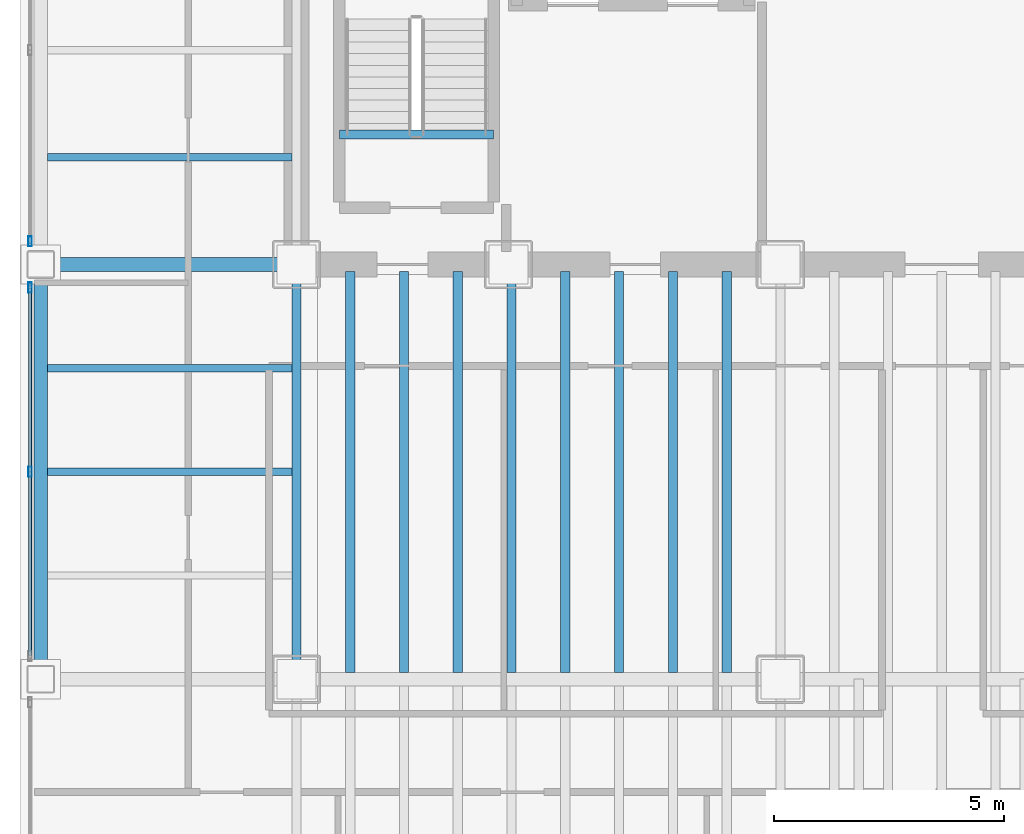
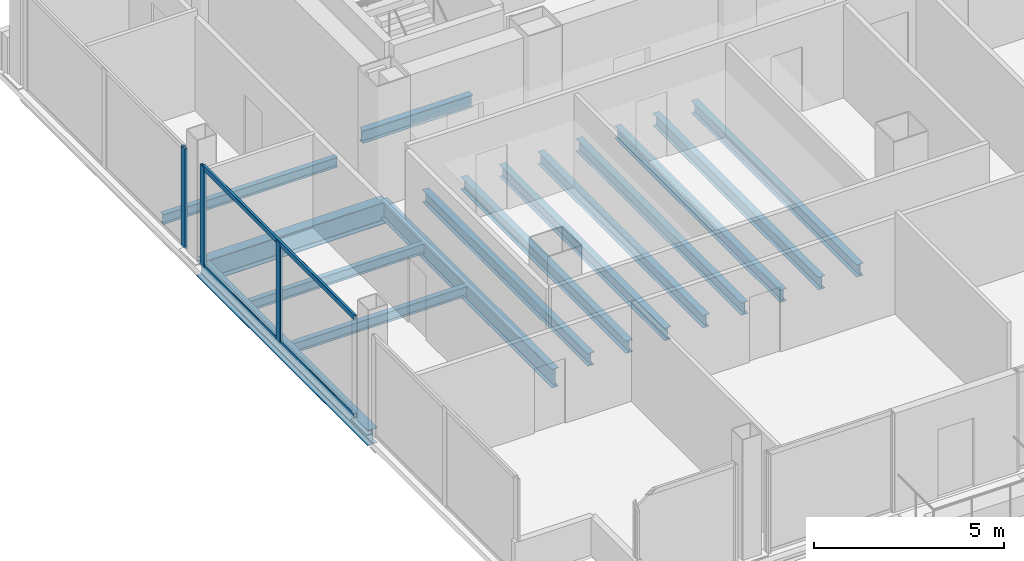
# One storey, part 6 of 21: 15 beams, 5 members, 2 elements without a shape of their own.
"""IFC4 building model written with IfcOpenShell, lengths in metres."""

from ifc_helpers import new_model, si_unit, direction, frame, origin, origin_2d, place, context, subcontext, project, spatial, hollow_rectangle, i_section, extrude, material, material_profile, profile_set, type_object, element, aggregate, save


model = new_model("IFC4")

# Units and contexts
model_context = context("Model", 3, precision=1e-05, world=origin(), true_north=direction((0.0, 1.0)))
body_context = subcontext(model_context, "Body", "Model", "MODEL_VIEW")
ifc_project = project(units=[si_unit("LENGTHUNIT", "METRE"), si_unit("AREAUNIT", "SQUARE_METRE"), si_unit("VOLUMEUNIT", "CUBIC_METRE"), si_unit("PLANEANGLEUNIT", "RADIAN"), si_unit("MASSUNIT", "GRAM", prefix="KILO")], contexts=[model_context])

# Site, building, storey
site_placement = place(None, origin())
site = spatial("IfcSite", under=ifc_project, at=site_placement, CompositionType="ELEMENT")
building_placement = place(site_placement, origin())
building = spatial("IfcBuilding", under=site, at=building_placement, Name="Noeulbin Bourse Tower", CompositionType="ELEMENT")
storey_placement = place(building_placement, frame((0.0, 0.0, 92.800048828125)))
storey = spatial("IfcBuildingStorey", under=building, at=storey_placement, Name="L23", CompositionType="ELEMENT", Elevation=92.800048828125)

# Beams
ifc_material_1 = material(Name="Steel S355", Category="steel")
ifc_material_profile_1 = material_profile(ifc_material_1, i_section(OverallWidth=0.199951171875, OverallDepth=0.60009765625, WebThickness=0.010986328125, FlangeThickness=0.01708984375, FilletRadius=0.02197265625, at=origin_2d()), Name="H-600x200x11x17", Category="LoadBearing")
ifc_profile_set_1 = profile_set([ifc_material_profile_1], Name="Steel S355")
beam_type_1 = type_object("IfcBeamType", Name="BM-GRD-600", PredefinedType="USERDEFINED", material=ifc_profile_set_1)
beam_1_placement = place(storey_placement, frame((13.5, 20.0, -0.47998046875), z_axis=(0.0, 1.0, 0.0), x_axis=(-1.0, 0.0, 0.0)))
element("IfcBeam", 1, at=beam_1_placement, inside=storey, type_object=beam_type_1, Name="Tower Primary Girder NS L23-1.2", ObjectType="GIRDER", PredefinedType="USERDEFINED", context=body_context, shape_type="SweptSolid", body=[
    extrude(i_section(OverallWidth=0.199951171875, OverallDepth=0.60009765625, WebThickness=0.010986328125, FlangeThickness=0.01708984375, FilletRadius=0.02197265625, at=origin_2d()), origin(), (0.0, 0.0, 1.0), 9.0),
])
ifc_material_profile_2 = material_profile(ifc_material_1, i_section(OverallWidth=0.300048828125, OverallDepth=0.699951171875, WebThickness=0.012939453125, FlangeThickness=0.02392578125, FilletRadius=0.02392578125, at=origin_2d()), Name="H-700x300x13x24", Category="LoadBearing")
ifc_profile_set_2 = profile_set([ifc_material_profile_2], Name="Steel S355")
beam_type_2 = type_object("IfcBeamType", Name="BM-GRD-700", PredefinedType="USERDEFINED", material=ifc_profile_set_2)
beam_2_placement = place(storey_placement, frame((7.949951171875, 29.0, -0.530029296875), z_axis=(1.0, 0.0, 0.0), x_axis=(0.0, 1.0, 0.0)))
element("IfcBeam", 2, at=beam_2_placement, inside=storey, type_object=beam_type_2, Name="Tower Primary Girder EW L23-2.1", ObjectType="GIRDER", PredefinedType="USERDEFINED", context=body_context, shape_type="SweptSolid", body=[
    extrude(i_section(OverallWidth=0.300048828125, OverallDepth=0.699951171875, WebThickness=0.012939453125, FlangeThickness=0.02392578125, FilletRadius=0.02392578125, at=origin_2d()), origin(), (0.0, 0.0, 1.0), 5.550048828125),
])
ifc_material_profile_3 = material_profile(ifc_material_1, i_section(OverallWidth=0.159912109375, OverallDepth=0.320068359375, WebThickness=0.006591796875, FlangeThickness=0.010009765625, FilletRadius=0.012939453125, at=origin_2d()), Name="H-320x160x6.5x10", Category="LoadBearing")
ifc_profile_set_3 = profile_set([ifc_material_profile_3], Name="Steel S355")
beam_type_3 = type_object("IfcBeamType", Name="BM-JST-320", PredefinedType="JOIST", material=ifc_profile_set_3)
for number, where, z_axis, x_axis, name in (
    (3, (8.10009765625, 24.5, -0.340087890625), (1.0, 0.0, 0.0), (0.0, 1.0, 0.0), "Wing Composite Joist L23-W71"),
    (4, (8.10009765625, 26.75, -0.340087890625), (1.0, 0.0, 0.0), (0.0, 1.0, 0.0), "Wing Composite Joist L23-W72"),
    (5, (8.10009765625, 31.324951171875, -0.340087890625), (1.0, 0.0, 0.0), (0.0, 1.0, 0.0), "Wing Composite Joist L23-W73"),
):
    element("IfcBeam", number, at=place(storey_placement, frame(where, z_axis=z_axis, x_axis=x_axis)), inside=storey, type_object=beam_type_3, Name=name, PredefinedType="JOIST", context=body_context, shape_type="SweptSolid", body=[
        extrude(i_section(OverallWidth=0.159912109375, OverallDepth=0.320068359375, WebThickness=0.006591796875, FlangeThickness=0.010009765625, FilletRadius=0.012939453125, at=origin_2d()), origin(), (0.0, 0.0, 1.0), 5.2998046875),
    ])
ifc_material_profile_4 = material_profile(ifc_material_1, i_section(OverallWidth=0.199951171875, OverallDepth=0.39990234375, WebThickness=0.008056640625, FlangeThickness=0.012939453125, FilletRadius=0.01611328125, at=origin_2d()), Name="H-400x200x8x13", Category="LoadBearing")
ifc_profile_set_4 = profile_set([ifc_material_profile_4], Name="Steel S355")
beam_type_4 = type_object("IfcBeamType", Name="BM-SEC-400", PredefinedType="BEAM", material=ifc_profile_set_4)
for number, where, z_axis, x_axis, name in (
    (6, (14.666748046875, 20.14990234375, -0.380126953125), (0.0, 1.0, 0.0), (-1.0, 0.0, 0.0), "Tower Composite Joist L23-02"),
    (7, (15.833251953125, 20.14990234375, -0.380126953125), (0.0, 1.0, 0.0), (-1.0, 0.0, 0.0), "Tower Composite Joist L23-05"),
    (8, (17.0, 20.14990234375, -0.380126953125), (0.0, 1.0, 0.0), (-1.0, 0.0, 0.0), "Tower Composite Joist L23-08"),
    (9, (18.166748046875, 20.14990234375, -0.380126953125), (0.0, 1.0, 0.0), (-1.0, 0.0, 0.0), "Tower Composite Joist L23-11"),
    (10, (19.333251953125, 20.14990234375, -0.380126953125), (0.0, 1.0, 0.0), (-1.0, 0.0, 0.0), "Tower Composite Joist L23-14"),
    (11, (20.5, 20.14990234375, -0.380126953125), (0.0, 1.0, 0.0), (-1.0, 0.0, 0.0), "Tower Composite Joist L23-17"),
    (12, (21.666748046875, 20.14990234375, -0.380126953125), (0.0, 1.0, 0.0), (-1.0, 0.0, 0.0), "Tower Composite Joist L23-20"),
    (13, (22.833251953125, 20.14990234375, -0.380126953125), (0.0, 1.0, 0.0), (-1.0, 0.0, 0.0), "Tower Composite Joist L23-23"),
):
    element("IfcBeam", number, at=place(storey_placement, frame(where, z_axis=z_axis, x_axis=x_axis)), inside=storey, type_object=beam_type_4, Name=name, PredefinedType="BEAM", context=body_context, shape_type="SweptSolid", body=[
        extrude(i_section(OverallWidth=0.199951171875, OverallDepth=0.39990234375, WebThickness=0.008056640625, FlangeThickness=0.012939453125, FilletRadius=0.01611328125, at=origin_2d()), origin(), (0.0, 0.0, 1.0), 8.7001953125),
    ])
beam_3_placement = place(storey_placement, frame((14.429931640625, 31.820068359375, -0.199951171875), z_axis=(1.0, 0.0, 0.0), x_axis=(0.0, 1.0, 0.0)))
element("IfcBeam", 14, at=beam_3_placement, inside=storey, type_object=beam_type_4, Name="Stair Threshold Trimmer Beam ST1-L23", PredefinedType="BEAM", context=body_context, shape_type="SweptSolid", body=[
    extrude(i_section(OverallWidth=0.199951171875, OverallDepth=0.39990234375, WebThickness=0.008056640625, FlangeThickness=0.012939453125, FilletRadius=0.01611328125, at=origin_2d()), origin(), (0.0, 0.0, 1.0), 3.340087890625),
])
ifc_material_profile_5 = material_profile(ifc_material_1, i_section(OverallWidth=0.300048828125, OverallDepth=0.488037109375, WebThickness=0.010986328125, FlangeThickness=0.01806640625, FilletRadius=0.02197265625, at=origin_2d()), Name="H-488x300x11x18", Category="LoadBearing")
ifc_profile_set_5 = profile_set([ifc_material_profile_5], Name="Steel S355")
beam_type_5 = type_object("IfcBeamType", Name="BM-SPN-488", PredefinedType="SPANDREL", material=ifc_profile_set_5)
beam_4_placement = place(storey_placement, frame((7.949951171875, 20.0, -0.424072265625), z_axis=(0.0, 1.0, 0.0), x_axis=(-1.0, 0.0, 0.0)))
element("IfcBeam", 15, at=beam_4_placement, inside=storey, type_object=beam_type_5, Name="West Spandrel L23-1", PredefinedType="SPANDREL", context=body_context, shape_type="SweptSolid", body=[
    extrude(i_section(OverallWidth=0.300048828125, OverallDepth=0.488037109375, WebThickness=0.010986328125, FlangeThickness=0.01806640625, FilletRadius=0.02197265625, at=origin_2d()), origin(), (0.0, 0.0, 1.0), 9.0),
])

# Curtain wall, members
ifc_material_2 = material(Name="Dark Solar-Control Double Glazing", Category="glass")
curtain_wall_type = type_object("IfcCurtainWallType", Name="CW-SYS-2", PredefinedType="NOTDEFINED", material=ifc_material_2)
curtain_wall_1_placement = place(storey_placement, origin())
curtain_wall_1 = element("IfcCurtainWall", 16, at=curtain_wall_1_placement, inside=storey, type_object=curtain_wall_type, Name="Unitised Curtain Wall CW-L23-W-S2", PredefinedType="NOTDEFINED")
ifc_material_3 = material(Name="Anodised Aluminium 6063-T6", Category="aluminium")
ifc_material_profile_6 = material_profile(ifc_material_3, hollow_rectangle(XDim=0.074951171875, YDim=0.219970703125, WallThickness=0.0048828125, InnerFilletRadius=0.00244140625, OuterFilletRadius=0.0048828125, at=origin_2d()), Name="ALU-MULL-75x220x5", Category="LoadBearing")
ifc_profile_set_6 = profile_set([ifc_material_profile_6], Name="Anodised Aluminium 6063-T6")
member_type_1 = type_object("IfcMemberType", Name="CW-SYS-2-MUL", PredefinedType="MULLION", material=ifc_profile_set_6)
member_1_placement = place(storey_placement, frame((7.719970703125, 24.5, -0.02001953125), z_axis=(0.0, 0.0, 1.0), x_axis=(1.0, 0.0, 0.0)))
member_1 = element("IfcMember", 17, at=member_1_placement, type_object=member_type_1, Name="Curtain Wall Mullion CW-L23-W-S2-M01", PredefinedType="MULLION", context=body_context, shape_type="SweptSolid", body=[
    extrude(hollow_rectangle(XDim=0.074951171875, YDim=0.219970703125, WallThickness=0.0048828125, InnerFilletRadius=0.00244140625, OuterFilletRadius=0.0048828125, at=origin_2d()), origin(), (0.0, 0.0, 1.0), 3.219970703125),
])
member_2_placement = place(storey_placement, frame((7.719970703125, 28.5, -0.02001953125), z_axis=(0.0, 0.0, 1.0), x_axis=(1.0, 0.0, 0.0)))
member_2 = element("IfcMember", 18, at=member_2_placement, type_object=member_type_1, Name="Curtain Wall Mullion CW-L23-W-S2-M02", PredefinedType="MULLION", context=body_context, shape_type="SweptSolid", body=[
    extrude(hollow_rectangle(XDim=0.074951171875, YDim=0.219970703125, WallThickness=0.0048828125, InnerFilletRadius=0.00244140625, OuterFilletRadius=0.0048828125, at=origin_2d()), origin(), (0.0, 0.0, 1.0), 3.219970703125),
])

# Curtain wall, member
curtain_wall_2_placement = place(storey_placement, origin())
curtain_wall_2 = element("IfcCurtainWall", 19, at=curtain_wall_2_placement, inside=storey, type_object=curtain_wall_type, Name="Unitised Curtain Wall CW-L23-W-S3", PredefinedType="NOTDEFINED")
member_3_placement = place(storey_placement, frame((7.719970703125, 29.5, -0.02001953125), z_axis=(0.0, 0.0, 1.0), x_axis=(1.0, 0.0, 0.0)))
member_3 = element("IfcMember", 20, at=member_3_placement, type_object=member_type_1, Name="Curtain Wall Mullion CW-L23-W-S3-M00", PredefinedType="MULLION", context=body_context, shape_type="SweptSolid", body=[
    extrude(hollow_rectangle(XDim=0.074951171875, YDim=0.219970703125, WallThickness=0.0048828125, InnerFilletRadius=0.00244140625, OuterFilletRadius=0.0048828125, at=origin_2d()), origin(), (0.0, 0.0, 1.0), 3.219970703125),
])
aggregate(curtain_wall_2, [member_3])

# Member
ifc_material_profile_7 = material_profile(ifc_material_3, hollow_rectangle(XDim=0.074951171875, YDim=0.159912109375, WallThickness=0.0048828125, InnerFilletRadius=0.00244140625, OuterFilletRadius=0.0048828125, at=origin_2d()), Name="ALU-TRAN-75x160x5", Category="LoadBearing")
ifc_profile_set_7 = profile_set([ifc_material_profile_7], Name="Anodised Aluminium 6063-T6")
member_type_2 = type_object("IfcMemberType", Name="CW-SYS-2-TRN", PredefinedType="USERDEFINED", material=ifc_profile_set_7)
member_4_placement = place(storey_placement, frame((7.719970703125, 20.510009765625, 0.010009765625), z_axis=(0.0, 1.0, 0.0), x_axis=(-1.0, 0.0, 0.0)))
member_4 = element("IfcMember", 21, at=member_4_placement, type_object=member_type_2, Name="Curtain Wall Transom CW-L23-W-S2-T00", ObjectType="TRANSOM", PredefinedType="USERDEFINED", context=body_context, shape_type="SweptSolid", body=[
    extrude(hollow_rectangle(XDim=0.074951171875, YDim=0.159912109375, WallThickness=0.0048828125, InnerFilletRadius=0.00244140625, OuterFilletRadius=0.0048828125, at=origin_2d()), origin(), (0.0, 0.0, 1.0), 7.97998046875),
])

member_5_placement = place(storey_placement, frame((7.719970703125, 20.510009765625, 3.169921875), z_axis=(0.0, 1.0, 0.0), x_axis=(-1.0, 0.0, 0.0)))
member_5 = element("IfcMember", 22, at=member_5_placement, type_object=member_type_2, Name="Curtain Wall Transom CW-L23-W-S2-T01", ObjectType="TRANSOM", PredefinedType="USERDEFINED", context=body_context, shape_type="SweptSolid", body=[
    extrude(hollow_rectangle(XDim=0.074951171875, YDim=0.159912109375, WallThickness=0.0048828125, InnerFilletRadius=0.00244140625, OuterFilletRadius=0.0048828125, at=origin_2d()), origin(), (0.0, 0.0, 1.0), 7.97998046875),
])

aggregate(curtain_wall_1, [member_1, member_2, member_4, member_5])

save(model, "model.ifc")
